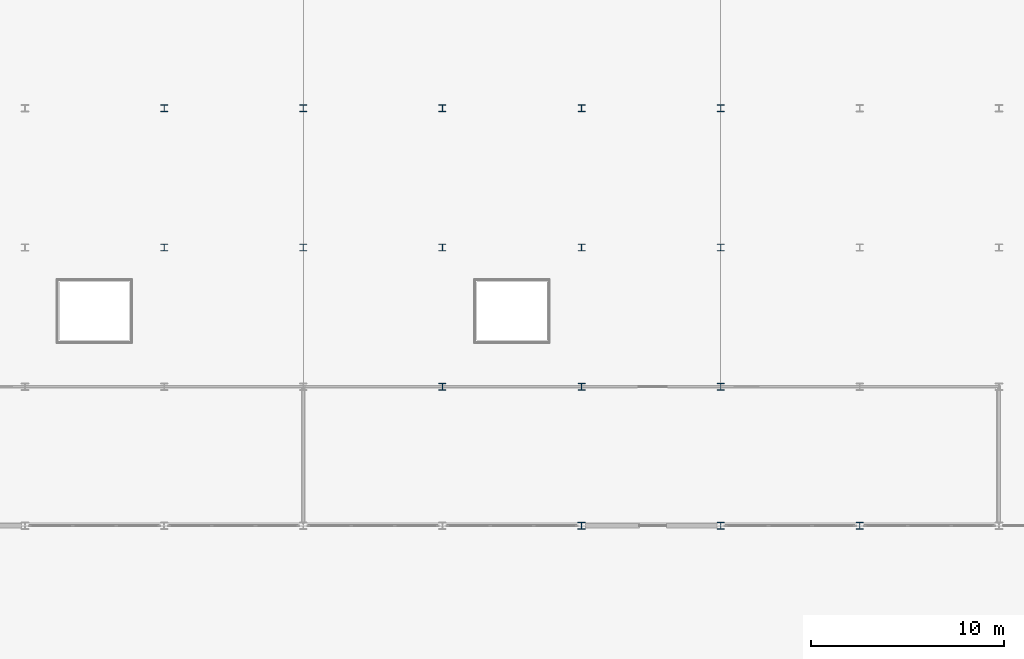
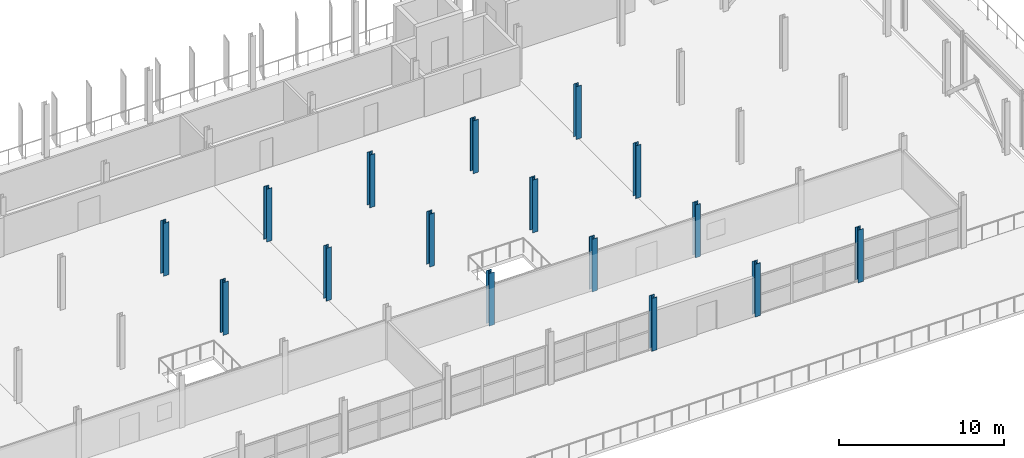
# One storey, part 7 of 40: 16 columns.
"""IFC4 building model written with IfcOpenShell, lengths in metres."""

from ifc_helpers import new_model, si_unit, direction, frame, origin, origin_2d, place, context, subcontext, project, spatial, i_section, extrude, material, material_profile, profile_set, type_object, element, save


model = new_model("IFC4")

# Units and contexts
model_context = context("Model", 3, precision=1e-05, world=origin(), true_north=direction((0.0, 1.0)))
body_context = subcontext(model_context, "Body", "Model", "MODEL_VIEW")
ifc_project = project(units=[si_unit("LENGTHUNIT", "METRE"), si_unit("AREAUNIT", "SQUARE_METRE"), si_unit("VOLUMEUNIT", "CUBIC_METRE"), si_unit("PLANEANGLEUNIT", "RADIAN"), si_unit("MASSUNIT", "GRAM", prefix="KILO")], contexts=[model_context])

# Site, building, storey
site_placement = place(None, origin())
site = spatial("IfcSite", under=ifc_project, at=site_placement, CompositionType="ELEMENT")
building_placement = place(site_placement, origin())
building = spatial("IfcBuilding", under=site, at=building_placement, Name="Vaelcorin Mobility Hub", CompositionType="ELEMENT")
storey_placement = place(building_placement, frame((0.0, 0.0, 17.10009765625)))
storey = spatial("IfcBuildingStorey", under=building, at=storey_placement, Name="L04", CompositionType="ELEMENT", Elevation=17.10009765625)

# Columns
ifc_material = material(Name="Steel ASTM A992 Grade 50", Category="steel")
ifc_material_profile_1 = material_profile(ifc_material, i_section(OverallWidth=0.37109375, OverallDepth=0.363037109375, WebThickness=0.01318359375, FlangeThickness=0.021728515625, FilletRadius=0.014892578125, at=origin_2d()), Name="W14X109")
ifc_profile_set_1 = profile_set([ifc_material_profile_1], Name="Steel ASTM A992 Grade 50")
column_type_1 = type_object("IfcColumnType", Name="COL-W14X109", PredefinedType="COLUMN", material=ifc_profile_set_1)
for number, where, z_axis, x_axis, name in (
    (1, (93.60009765625, 84.0, 0.0), (0.0, 0.0, 1.0), (1.0, 0.0, 0.0), "Column V4-X09Y02 L04"),
    (2, (100.800048828125, 84.0, 0.0), (0.0, 0.0, 1.0), (1.0, 0.0, 0.0), "Column V4-X10Y02 L04"),
    (3, (108.0, 84.0, 0.0), (0.0, 0.0, 1.0), (1.0, 0.0, 0.0), "Column V4-X11Y02 L04"),
):
    element("IfcColumn", number, at=place(storey_placement, frame(where, z_axis=z_axis, x_axis=x_axis)), inside=storey, type_object=column_type_1, Name=name, PredefinedType="COLUMN", context=body_context, shape_type="SweptSolid", body=[
        extrude(i_section(OverallWidth=0.37109375, OverallDepth=0.363037109375, WebThickness=0.01318359375, FlangeThickness=0.021728515625, FilletRadius=0.014892578125, at=origin_2d()), origin(), (0.0, 0.0, 1.0), 3.89990234375),
    ])
ifc_material_profile_2 = material_profile(ifc_material, i_section(OverallWidth=0.367919921875, OverallDepth=0.35595703125, WebThickness=0.01123046875, FlangeThickness=0.01806640625, FilletRadius=0.014892578125, at=origin_2d()), Name="W14X90")
ifc_profile_set_2 = profile_set([ifc_material_profile_2], Name="Steel ASTM A992 Grade 50")
column_type_2 = type_object("IfcColumnType", Name="COL-W14X90", PredefinedType="COLUMN", material=ifc_profile_set_2)
for number, where, z_axis, x_axis, name in (
    (4, (72.0, 98.39990234375, 0.0), (0.0, 0.0, 1.0), (1.0, 0.0, 0.0), "Column V4-X06Y04 L04"),
    (5, (72.0, 105.60009765625, 0.0), (0.0, 0.0, 1.0), (1.0, 0.0, 0.0), "Column V4-X06Y05 L04"),
    (6, (79.199951171875, 98.39990234375, 0.0), (0.0, 0.0, 1.0), (1.0, 0.0, 0.0), "Column V4-X07Y04 L04"),
    (7, (79.199951171875, 105.60009765625, 0.0), (0.0, 0.0, 1.0), (1.0, 0.0, 0.0), "Column V4-X07Y05 L04"),
    (8, (86.39990234375, 91.199951171875, 0.0), (0.0, 0.0, 1.0), (1.0, 0.0, 0.0), "Column V4-X08Y03 L04"),
    (9, (86.39990234375, 98.39990234375, 0.0), (0.0, 0.0, 1.0), (1.0, 0.0, 0.0), "Column V4-X08Y04 L04"),
    (10, (86.39990234375, 105.60009765625, 0.0), (0.0, 0.0, 1.0), (1.0, 0.0, 0.0), "Column V4-X08Y05 L04"),
    (11, (93.60009765625, 91.199951171875, 0.0), (0.0, 0.0, 1.0), (1.0, 0.0, 0.0), "Column V4-X09Y03 L04"),
    (12, (93.60009765625, 98.39990234375, 0.0), (0.0, 0.0, 1.0), (1.0, 0.0, 0.0), "Column V4-X09Y04 L04"),
    (13, (93.60009765625, 105.60009765625, 0.0), (0.0, 0.0, 1.0), (1.0, 0.0, 0.0), "Column V4-X09Y05 L04"),
    (14, (100.800048828125, 91.199951171875, 0.0), (0.0, 0.0, 1.0), (1.0, 0.0, 0.0), "Column V4-X10Y03 L04"),
    (15, (100.800048828125, 98.39990234375, 0.0), (0.0, 0.0, 1.0), (1.0, 0.0, 0.0), "Column V4-X10Y04 L04"),
    (16, (100.800048828125, 105.60009765625, 0.0), (0.0, 0.0, 1.0), (1.0, 0.0, 0.0), "Column V4-X10Y05 L04"),
):
    element("IfcColumn", number, at=place(storey_placement, frame(where, z_axis=z_axis, x_axis=x_axis)), inside=storey, type_object=column_type_2, Name=name, PredefinedType="COLUMN", context=body_context, shape_type="SweptSolid", body=[
        extrude(i_section(OverallWidth=0.367919921875, OverallDepth=0.35595703125, WebThickness=0.01123046875, FlangeThickness=0.01806640625, FilletRadius=0.014892578125, at=origin_2d()), origin(), (0.0, 0.0, 1.0), 3.89990234375),
    ])

save(model, "model.ifc")
